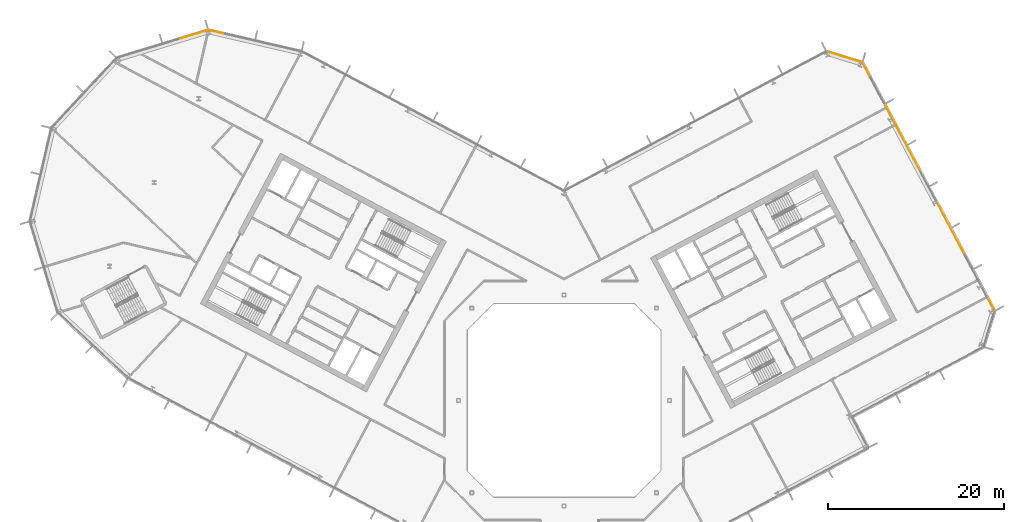
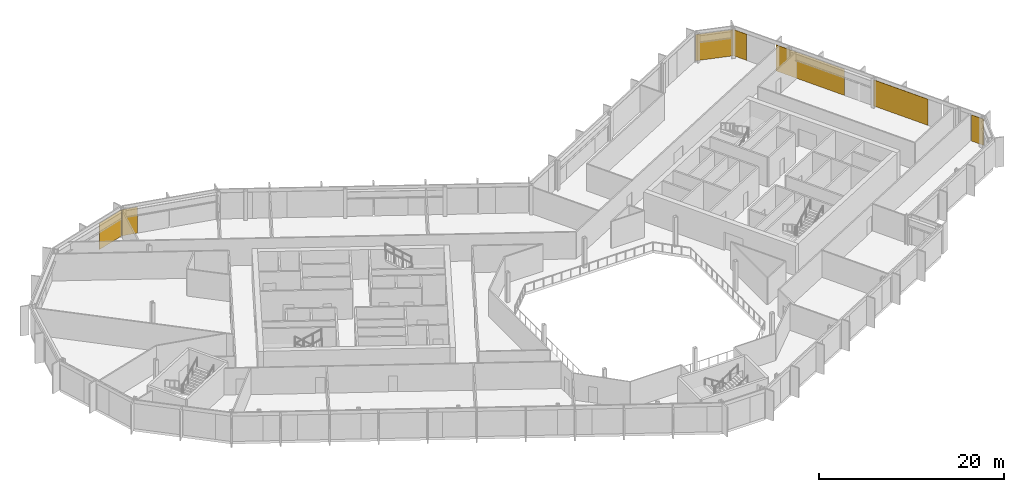
# One storey, part 27 of 27: 7 coverings, 4 elements without a shape of their own.
"""IFC4 building model written with IfcOpenShell, lengths in metres."""

import ifcopenshell
import ifcopenshell.guid

model = None  # the IFC model being written
_history = None  # IfcOwnerHistory: only IFC2X3 demands one
_inside = {}  # id of a spatial element -> (the spatial element, [elements in it])
_under = {}  # id of a project, library or spatial element -> (it, [spatial elements below it])
_declared = {}  # id of a project -> (the project, [libraries it declares])
_typed = {}  # id of a type object -> (the type object, [elements of that type])
_made_of = {}  # id of a material, layer set ... -> (it, [elements and type objects made of it])


def new_model(schema):
    """Start an empty IFC model of exactly this schema.

    Asked for "IFC4X3", IfcOpenShell would pick the latest addendum, in which some entities
    have other attributes; the version numbers below select the first issue.
    IFC2X3 requires an IfcOwnerHistory on every rooted entity: one is made here for all.
    """
    global model, _history
    if schema == "IFC4X3":
        model = ifcopenshell.file(schema_version=(4, 3, 0, 0))
    else:
        model = ifcopenshell.file(schema=schema)
    _inside.clear()
    _under.clear()
    _declared.clear()
    _typed.clear()
    _made_of.clear()
    _history = None
    if model.schema == "IFC2X3":
        org = make("IfcOrganization", Name="unknown")
        user = make(
            "IfcPersonAndOrganization",
            ThePerson=make("IfcPerson", FamilyName="unknown"),
            TheOrganization=org,
        )
        app = make(
            "IfcApplication",
            ApplicationDeveloper=org,
            Version="unknown",
            ApplicationFullName="unknown",
            ApplicationIdentifier="unknown",
        )
        _history = make(
            "IfcOwnerHistory",
            OwningUser=user,
            OwningApplication=app,
            ChangeAction="ADDED",
            CreationDate=0,
        )
    return model


def make(cls, **values):
    """One entity of the class cls with the attributes given. An attribute that is None is left unset."""
    return model.create_entity(
        cls, **{name: value for name, value in values.items() if value is not None}
    )


def rooted(cls, **values):
    """An entity with a GlobalId (a new one), such as an element, a storey or a relation."""
    return make(cls, GlobalId=ifcopenshell.guid.new(), OwnerHistory=_history, **values)


def si_unit(unit_type, name, prefix=None):
    """IfcSIUnit, for example si_unit("LENGTHUNIT", "METRE", prefix="MILLI")."""
    return make("IfcSIUnit", UnitType=unit_type, Prefix=prefix, Name=name)


def assignment(units):
    """IfcUnitAssignment: the units of a project."""
    return None if units is None else make("IfcUnitAssignment", Units=units)


def point(xyz):
    """IfcCartesianPoint."""
    return None if xyz is None else make("IfcCartesianPoint", Coordinates=xyz)


def direction(xyz):
    """IfcDirection."""
    return None if xyz is None else make("IfcDirection", DirectionRatios=xyz)


def frame(location, z_axis=None, x_axis=None):
    """IfcAxis2Placement3D, a coordinate frame: its origin and axes. An axis left out is left unset."""
    return make(
        "IfcAxis2Placement3D",
        Location=point(location),
        Axis=direction(z_axis),
        RefDirection=direction(x_axis),
    )


def frame_2d(location, x_axis=None):
    """IfcAxis2Placement2D, a coordinate frame in the plane: its origin and x axis."""
    return make(
        "IfcAxis2Placement2D", Location=point(location), RefDirection=direction(x_axis)
    )


def origin():
    """The frame at (0, 0, 0) with its axes left unset."""
    return frame((0.0, 0.0, 0.0))


def origin_2d():
    """The frame at (0, 0) in the plane with its x axis left unset."""
    return frame_2d((0.0, 0.0))


def place(relative_to, where):
    """IfcLocalPlacement: puts the frame where relative to a parent placement (None: the world)."""
    return make(
        "IfcLocalPlacement", PlacementRelTo=relative_to, RelativePlacement=where
    )


def context(
    kind, dimensions, precision=None, world=None, true_north=None, identifier=None
):
    """IfcGeometricRepresentationContext, for example the 3D "Model" context."""
    return make(
        "IfcGeometricRepresentationContext",
        ContextIdentifier=identifier,
        ContextType=kind,
        CoordinateSpaceDimension=dimensions,
        Precision=precision,
        WorldCoordinateSystem=world,
        TrueNorth=true_north,
    )


def subcontext(parent, identifier, kind, view, scale=None):
    """IfcGeometricRepresentationSubContext, for example "Body" below "Model"."""
    return make(
        "IfcGeometricRepresentationSubContext",
        ContextIdentifier=identifier,
        ContextType=kind,
        ParentContext=parent,
        TargetScale=scale,
        TargetView=view,
    )


def project(units=None, contexts=None):
    """IfcProject with its units and contexts."""
    return rooted(
        "IfcProject",
        Name="project",
        RepresentationContexts=contexts,
        UnitsInContext=assignment(units),
    )


def spatial(cls, under=None, at=None, **own):
    """A site, building, storey or space (cls), placed at a placement, below another one or the project."""
    s = rooted(cls, ObjectPlacement=at, **own)
    if under is not None:
        _under.setdefault(under.id(), (under, []))[1].append(s)
    return s


def profile(cls, at=None, kind="AREA", **sizes):
    """A parametric profile (cls). Its sizes go by their IFC names, for example OverallWidth=200.0."""
    return make(cls, ProfileType=kind, Position=at, **sizes)


def rectangle(**sizes):
    """IfcRectangleProfileDef."""
    return profile("IfcRectangleProfileDef", **sizes)


def extrude(swept, where, along, depth):
    """IfcExtrudedAreaSolid: the profile swept, set in the frame where, extruded along a direction by depth."""
    return make(
        "IfcExtrudedAreaSolid",
        SweptArea=swept,
        Position=where,
        ExtrudedDirection=direction(along),
        Depth=depth,
    )


def shape(context_of_items, identifier, shape_type, items):
    """IfcShapeRepresentation: the items that make up one representation, for example the "Body"."""
    return make(
        "IfcShapeRepresentation",
        ContextOfItems=context_of_items,
        RepresentationIdentifier=identifier,
        RepresentationType=shape_type,
        Items=items,
    )


def material(Name=None, Category=None):
    """IfcMaterial."""
    return make("IfcMaterial", Name=Name, Category=Category)


def layer(
    of_material, thickness, ventilated=None, Name=None, Category=None, Priority=None
):
    """IfcMaterialLayer: one layer of a wall or slab, of a material (None: an air gap)."""
    return make(
        "IfcMaterialLayer",
        Material=of_material,
        LayerThickness=thickness,
        IsVentilated=ventilated,
        Name=Name,
        Category=Category,
        Priority=Priority,
    )


def layer_set(layers, Name=None):
    """IfcMaterialLayerSet."""
    return make("IfcMaterialLayerSet", MaterialLayers=layers, LayerSetName=Name)


def made_of(thing, what):
    """Note that an element or type object is made of a material, layer set ...; save() writes the relation."""
    if what is not None:
        _made_of.setdefault(what.id(), (what, []))[1].append(thing)
    return thing


def type_object(cls, material=None, **own):
    """A type object (cls), such as IfcWallType, which elements share."""
    return made_of(rooted(cls, **own), material)


def element(
    cls,
    number,
    at=None,
    inside=None,
    cuts=None,
    type_object=None,
    material=None,
    context=None,
    identifier="Body",
    shape_type=None,
    held_by="IfcProductDefinitionShape",
    body=None,
    shapes=None,
    **own,
):
    """One element of the class cls, such as IfcWall. Its Tag is "e" and its number.

    at: its placement. inside: the storey or other place that contains it. cuts: it is an
    opening in that element (IfcRelVoidsElement). A single representation is given by context,
    identifier, shape_type and body (its items); several are given by shapes. held_by: the class
    of the entity that holds the representations. save() writes the other relations.
    """
    e = rooted(cls, Tag="e%d" % number, ObjectPlacement=at, **own)
    if body is not None:
        shapes = [shape(context, identifier, shape_type, body)]
    if shapes is not None:
        e.Representation = make(held_by, Representations=shapes)
    if inside is not None:
        _inside.setdefault(inside.id(), (inside, []))[1].append(e)
    if cuts is not None:
        rooted(
            "IfcRelVoidsElement", RelatingBuildingElement=cuts, RelatedOpeningElement=e
        )
    if type_object is not None:
        _typed.setdefault(type_object.id(), (type_object, []))[1].append(e)
    return made_of(e, material)


def aggregate(whole, parts):
    """IfcRelAggregates: a whole, such as a stair, and the parts it consists of."""
    return rooted("IfcRelAggregates", RelatingObject=whole, RelatedObjects=parts)


def save(model, path):
    """Write the relations noted so far, then the file.

    IfcRelAggregates (storeys below a building ...), IfcRelContainedInSpatialStructure (elements
    in a storey), IfcRelDefinesByType, IfcRelAssociatesMaterial and IfcRelDeclares: one each for
    every whole, place, type object, material and project.
    """
    for whole, parts in _under.values():
        aggregate(whole, parts)
    for where, things in _inside.values():
        rooted(
            "IfcRelContainedInSpatialStructure",
            RelatedElements=things,
            RelatingStructure=where,
        )
    for kind, things in _typed.values():
        rooted("IfcRelDefinesByType", RelatedObjects=things, RelatingType=kind)
    for what, things in _made_of.values():
        rooted("IfcRelAssociatesMaterial", RelatedObjects=things, RelatingMaterial=what)
    for by, libraries in _declared.values():
        rooted("IfcRelDeclares", RelatingContext=by, RelatedDefinitions=libraries)
    model.write(path)


model = new_model("IFC4")

# Units and contexts
model_context = context("Model", 3, precision=1e-05, world=origin(), true_north=direction((0.0, 1.0)))
body_context = subcontext(model_context, "Body", "Model", "MODEL_VIEW")
ifc_project = project(units=[si_unit("LENGTHUNIT", "METRE"), si_unit("AREAUNIT", "SQUARE_METRE"), si_unit("VOLUMEUNIT", "CUBIC_METRE"), si_unit("PLANEANGLEUNIT", "RADIAN"), si_unit("MASSUNIT", "GRAM", prefix="KILO")], contexts=[model_context])

# Site, building, storey
site_placement = place(None, origin())
site = spatial("IfcSite", under=ifc_project, at=site_placement, CompositionType="ELEMENT")
building_placement = place(site_placement, origin())
building = spatial("IfcBuilding", under=site, at=building_placement, Name="Cormorant Relay Tower", CompositionType="ELEMENT")
storey_placement = place(building_placement, frame((0.0, 0.0, 224.699951171875)))
storey = spatial("IfcBuildingStorey", under=building, at=storey_placement, Name="L49", CompositionType="ELEMENT", Elevation=224.699951171875)

# Curtain wall, coverings
ifc_material_1 = material(Name="Aluminium 6063-T6 anodised bronze", Category="aluminium")
ifc_layer_1 = layer(ifc_material_1, 0.199951171875)
ifc_layer_set_1 = layer_set([ifc_layer_1], Name="CW1 unitised bronze curtain wall with vertical fins")
curtain_wall_type = type_object("IfcCurtainWallType", Name="CW1 unitised bronze curtain wall with vertical fins", PredefinedType="NOTDEFINED", material=ifc_layer_set_1)
curtain_wall_1_placement = place(storey_placement, origin())
curtain_wall_1 = element("IfcCurtainWall", 1, at=curtain_wall_1_placement, inside=storey, type_object=curtain_wall_type, Name="CW1 curtain wall 6", PredefinedType="NOTDEFINED")
ifc_material_2 = material(Name="Pale bronze anodised aluminium insulated panel", Category="aluminium")
ifc_layer_2 = layer(ifc_material_2, 0.0400390625)
ifc_layer_set_2 = layer_set([ifc_layer_2], Name="CW1 pale bronze insulated panel 40")
covering_type = type_object("IfcCoveringType", Name="CW1 pale bronze insulated panel 40", PredefinedType="CLADDING", material=ifc_layer_set_2)
covering_1_placement = place(storey_placement, frame((48.56494140625, 10.947998046875, 0.0), z_axis=(0.0, 0.0, 1.0), x_axis=(-0.469471562786, 0.882947592859, 0.0)))
covering_1 = element("IfcCovering", 2, at=covering_1_placement, type_object=covering_type, Name="CW1 panel S00", PredefinedType="CLADDING", context=body_context, shape_type="SweptSolid", body=[
    extrude(rectangle(XDim=1.583251953125, YDim=0.0400390625, at=origin_2d()), origin(), (0.0, 0.0, 1.0), 3.449951171875),
])
covering_2_placement = place(storey_placement, frame((43.964111328125, 19.600830078125, 0.0), z_axis=(0.0, 0.0, 1.0), x_axis=(-0.469471562786, 0.882947592859, 0.0)))
covering_2 = element("IfcCovering", 3, at=covering_2_placement, type_object=covering_type, Name="CW1 panel S03", PredefinedType="CLADDING", context=body_context, shape_type="SweptSolid", body=[
    extrude(rectangle(XDim=6.916748046875, YDim=0.0400390625, at=origin_2d()), origin(), (0.0, 0.0, 1.0), 3.449951171875),
])
covering_3_placement = place(storey_placement, frame((38.53369140625, 29.813720703125, 0.0), z_axis=(0.0, 0.0, 1.0), x_axis=(-0.469471562786, 0.882947592859, 0.0)))
covering_3 = element("IfcCovering", 4, at=covering_3_placement, type_object=covering_type, Name="CW1 panel S06", PredefinedType="CLADDING", context=body_context, shape_type="SweptSolid", body=[
    extrude(rectangle(XDim=8.716796875, YDim=0.0400390625, at=origin_2d()), origin(), (0.0, 0.0, 1.0), 3.449951171875),
])
covering_4_placement = place(storey_placement, frame((34.337890625, 37.705078125, 0.0), z_axis=(0.0, 0.0, 1.0), x_axis=(-0.469471562786, 0.882947592859, 0.0)))
covering_4 = element("IfcCovering", 5, at=covering_4_placement, type_object=covering_type, Name="CW1 panel S08", PredefinedType="CLADDING", context=body_context, shape_type="SweptSolid", body=[
    extrude(rectangle(XDim=1.658203125, YDim=0.0400390625, at=origin_2d()), origin(), (0.0, 0.0, 1.0), 3.449951171875),
])
aggregate(curtain_wall_1, [covering_1, covering_2, covering_3, covering_4])

# Curtain wall, covering
curtain_wall_2_placement = place(storey_placement, origin())
curtain_wall_2 = element("IfcCurtainWall", 6, at=curtain_wall_2_placement, inside=storey, type_object=curtain_wall_type, Name="CW1 curtain wall 7", PredefinedType="NOTDEFINED")
covering_5_placement = place(storey_placement, frame((31.872314453125, 39.077880859375, 0.0), z_axis=(0.0, 0.0, 1.0), x_axis=(-0.956304755963, 0.292371704723, 0.0)))
covering_5 = element("IfcCovering", 7, at=covering_5_placement, type_object=covering_type, Name="CW1 panel S00", PredefinedType="CLADDING", context=body_context, shape_type="SweptSolid", body=[
    extrude(rectangle(XDim=4.16748046875, YDim=0.0400390625, at=origin_2d()), origin(), (0.0, 0.0, 1.0), 3.449951171875),
])
aggregate(curtain_wall_2, [covering_5])

curtain_wall_3_placement = place(storey_placement, origin())
curtain_wall_3 = element("IfcCurtainWall", 8, at=curtain_wall_3_placement, inside=storey, type_object=curtain_wall_type, Name="CW1 curtain wall 10", PredefinedType="NOTDEFINED")
covering_6_placement = place(storey_placement, frame((-39.603515625, 41.934814453125, 0.0), z_axis=(0.0, 0.0, 1.0), x_axis=(-0.974370064785, 0.224951054344, 0.0)))
covering_6 = element("IfcCovering", 9, at=covering_6_placement, type_object=covering_type, Name="CW1 panel S02", PredefinedType="CLADDING", context=body_context, shape_type="SweptSolid", body=[
    extrude(rectangle(XDim=1.76025390625, YDim=0.0400390625, at=origin_2d()), origin(), (0.0, 0.0, 1.0), 3.449951171875),
])
aggregate(curtain_wall_3, [covering_6])

curtain_wall_4_placement = place(storey_placement, origin())
curtain_wall_4 = element("IfcCurtainWall", 10, at=curtain_wall_4_placement, inside=storey, type_object=curtain_wall_type, Name="CW1 curtain wall 11", PredefinedType="NOTDEFINED")
covering_7_placement = place(storey_placement, frame((-42.209716796875, 41.60107421875, 0.0), z_axis=(0.0, 0.0, 1.0), x_axis=(-0.956304755963, -0.292371704723, 0.0)))
covering_7 = element("IfcCovering", 11, at=covering_7_placement, type_object=covering_type, Name="CW1 panel S00", PredefinedType="CLADDING", context=body_context, shape_type="SweptSolid", body=[
    extrude(rectangle(XDim=3.485107421875, YDim=0.0400390625, at=origin_2d()), origin(), (0.0, 0.0, 1.0), 3.449951171875),
])
aggregate(curtain_wall_4, [covering_7])

save(model, "model.ifc")
